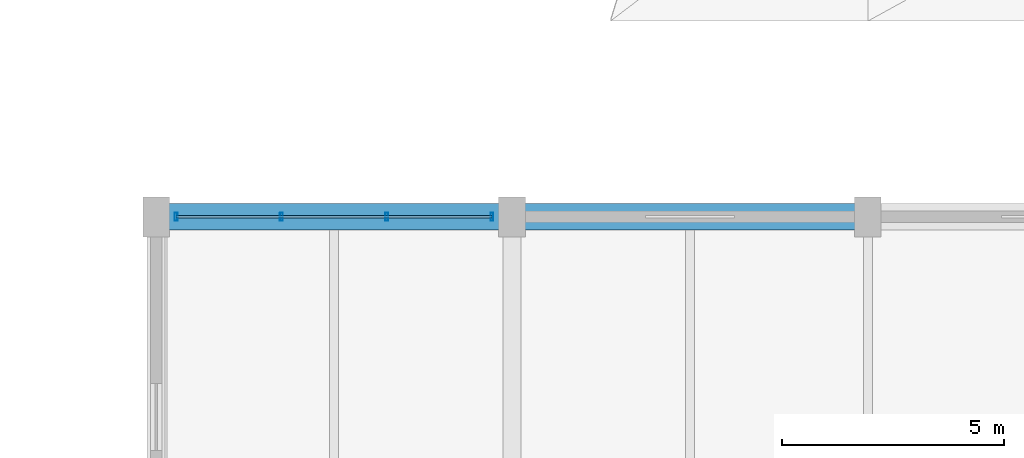
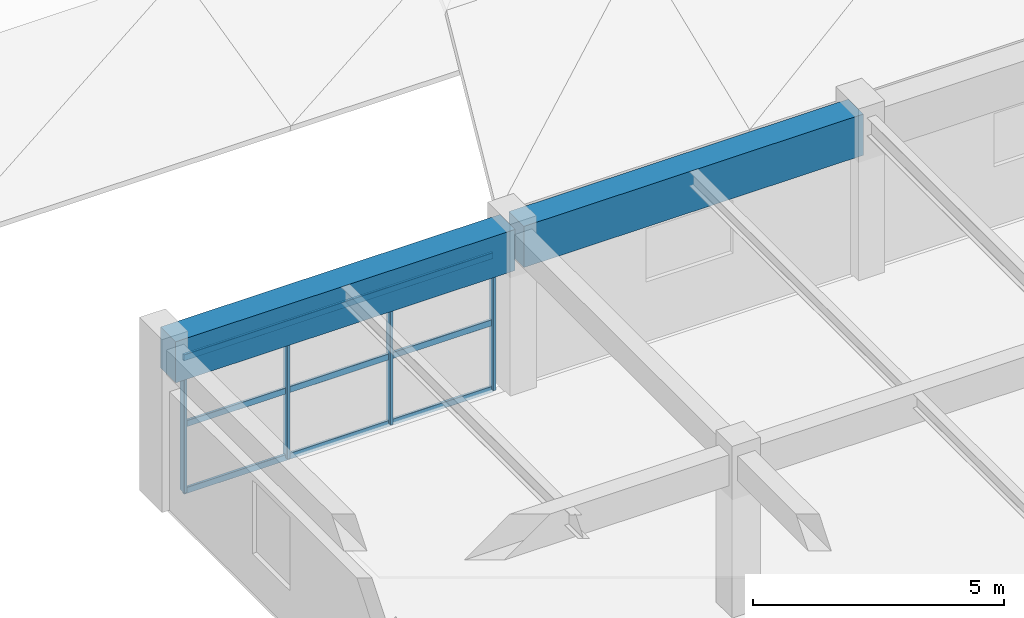
# One storey, part 9 of 126: 7 members, 2 beams, 1 element without a shape of its own.
"""IFC4 building model written with IfcOpenShell, lengths in metres."""

from ifc_helpers import new_model, si_unit, direction, frame, origin, origin_2d, place, context, subcontext, project, spatial, rectangle, hollow_rectangle, extrude, material, material_profile, profile_set, type_object, element, aggregate, save


model = new_model("IFC4")

# Units and contexts
model_context = context("Model", 3, precision=1e-05, world=origin(), true_north=direction((0.0, 1.0)))
body_context = subcontext(model_context, "Body", "Model", "MODEL_VIEW")
ifc_project = project(units=[si_unit("LENGTHUNIT", "METRE"), si_unit("AREAUNIT", "SQUARE_METRE"), si_unit("VOLUMEUNIT", "CUBIC_METRE"), si_unit("PLANEANGLEUNIT", "RADIAN"), si_unit("MASSUNIT", "GRAM", prefix="KILO")], contexts=[model_context])

# Site, building, storey
site_placement = place(None, origin())
site = spatial("IfcSite", under=ifc_project, at=site_placement, CompositionType="ELEMENT")
building_placement = place(site_placement, origin())
building = spatial("IfcBuilding", under=site, at=building_placement, Name="Varnabhumi Central Station", CompositionType="ELEMENT")
storey_placement = place(building_placement, frame((0.0, 0.0, 16.199951171875)))
storey = spatial("IfcBuildingStorey", under=building, at=storey_placement, Name="L03", CompositionType="ELEMENT", Elevation=16.199951171875)

# Beams
ifc_material_1 = material(Name="Concrete M50", Category="concrete")
ifc_material_profile_1 = material_profile(ifc_material_1, rectangle(XDim=0.60009765625, YDim=1.0, at=origin_2d()), Name="Concrete M50", Category="concrete")
ifc_profile_set_1 = profile_set([ifc_material_profile_1], Name="Concrete M50")
beam_type = type_object("IfcBeamType", Name="BM-RC-600x1000", PredefinedType="BEAM", material=ifc_profile_set_1)
for number, where, z_axis, x_axis, name in (
    (1, (32.10009765625, 36.0, 3.420166015625), (1.0, 0.0, 0.0), (0.0, 1.0, 0.0), "Beam L03-E:5-6"),
    (2, (40.10009765625, 36.0, 3.420166015625), (1.0, 0.0, 0.0), (0.0, 1.0, 0.0), "Beam L03-E:6-7"),
):
    element("IfcBeam", number, at=place(storey_placement, frame(where, z_axis=z_axis, x_axis=x_axis)), inside=storey, type_object=beam_type, Name=name, PredefinedType="BEAM", context=body_context, shape_type="SweptSolid", body=[
        extrude(rectangle(XDim=0.60009765625, YDim=1.0, at=origin_2d()), origin(), (0.0, 0.0, 1.0), 7.7998046875),
    ])

# Curtain wall, members
ifc_material_2 = material(Name="Anodised aluminium 6063-T6", Category="aluminium")
curtain_wall_type = type_object("IfcCurtainWallType", Name="CW-SPINE-SCREEN-L0", PredefinedType="NOTDEFINED", material=ifc_material_2)
curtain_wall_placement = place(storey_placement, origin())
curtain_wall = element("IfcCurtainWall", 3, at=curtain_wall_placement, inside=storey, type_object=curtain_wall_type, Name="Curtain Wall CW-SS300", PredefinedType="NOTDEFINED")
ifc_material_profile_2 = material_profile(ifc_material_2, hollow_rectangle(XDim=0.06494140625, YDim=0.179931640625, WallThickness=0.00390625, InnerFilletRadius=0.001953125, OuterFilletRadius=0.006103515625, at=origin_2d()), Name="Anodised aluminium 6063-T6", Category="aluminium")
ifc_profile_set_2 = profile_set([ifc_material_profile_2], Name="Anodised aluminium 6063-T6")
member_type_1 = type_object("IfcMemberType", Name="CW-MUL-180", PredefinedType="MULLION", material=ifc_profile_set_2)
member_1_placement = place(storey_placement, frame((32.449951171875, 36.0, 0.0), z_axis=(0.0, 0.0, 1.0), x_axis=(1.0, 0.0, 0.0)))
member_1 = element("IfcMember", 4, at=member_1_placement, type_object=member_type_1, Name="Curtain Wall Mullion CW-SS300-M1", PredefinedType="MULLION", context=body_context, shape_type="SweptSolid", body=[
    extrude(hollow_rectangle(XDim=0.06494140625, YDim=0.179931640625, WallThickness=0.00390625, InnerFilletRadius=0.001953125, OuterFilletRadius=0.006103515625, at=origin_2d()), origin(), (0.0, 0.0, 1.0), 3.239990234375),
])
member_2_placement = place(storey_placement, frame((34.816650390625, 36.0, 0.0), z_axis=(0.0, 0.0, 1.0), x_axis=(1.0, 0.0, 0.0)))
member_2 = element("IfcMember", 5, at=member_2_placement, type_object=member_type_1, Name="Curtain Wall Mullion CW-SS300-M2", PredefinedType="MULLION", context=body_context, shape_type="SweptSolid", body=[
    extrude(hollow_rectangle(XDim=0.06494140625, YDim=0.179931640625, WallThickness=0.00390625, InnerFilletRadius=0.001953125, OuterFilletRadius=0.006103515625, at=origin_2d()), origin(), (0.0, 0.0, 1.0), 3.239990234375),
])
member_3_placement = place(storey_placement, frame((37.183349609375, 36.0, 0.0), z_axis=(0.0, 0.0, 1.0), x_axis=(1.0, 0.0, 0.0)))
member_3 = element("IfcMember", 6, at=member_3_placement, type_object=member_type_1, Name="Curtain Wall Mullion CW-SS300-M3", PredefinedType="MULLION", context=body_context, shape_type="SweptSolid", body=[
    extrude(hollow_rectangle(XDim=0.06494140625, YDim=0.179931640625, WallThickness=0.00390625, InnerFilletRadius=0.001953125, OuterFilletRadius=0.006103515625, at=origin_2d()), origin(), (0.0, 0.0, 1.0), 3.239990234375),
])
member_4_placement = place(storey_placement, frame((39.550048828125, 36.0, 0.0), z_axis=(0.0, 0.0, 1.0), x_axis=(1.0, 0.0, 0.0)))
member_4 = element("IfcMember", 7, at=member_4_placement, type_object=member_type_1, Name="Curtain Wall Mullion CW-SS300-M4", PredefinedType="MULLION", context=body_context, shape_type="SweptSolid", body=[
    extrude(hollow_rectangle(XDim=0.06494140625, YDim=0.179931640625, WallThickness=0.00390625, InnerFilletRadius=0.001953125, OuterFilletRadius=0.006103515625, at=origin_2d()), origin(), (0.0, 0.0, 1.0), 3.239990234375),
])
ifc_material_profile_3 = material_profile(ifc_material_2, hollow_rectangle(XDim=0.06005859375, YDim=0.14990234375, WallThickness=0.00390625, InnerFilletRadius=0.001953125, OuterFilletRadius=0.006103515625, at=origin_2d()), Name="Anodised aluminium 6063-T6", Category="aluminium")
ifc_profile_set_3 = profile_set([ifc_material_profile_3], Name="Anodised aluminium 6063-T6")
member_type_2 = type_object("IfcMemberType", Name="CW-TR-150", PredefinedType="USERDEFINED", material=ifc_profile_set_3)
member_5_placement = place(storey_placement, frame((32.449951171875, 36.0, 0.0), z_axis=(1.0, 0.0, 0.0), x_axis=(0.0, 1.0, 0.0)))
member_5 = element("IfcMember", 8, at=member_5_placement, type_object=member_type_2, Name="Curtain Wall Transom CW-SS300-T1", ObjectType="TRANSOM", PredefinedType="USERDEFINED", context=body_context, shape_type="SweptSolid", body=[
    extrude(hollow_rectangle(XDim=0.06005859375, YDim=0.14990234375, WallThickness=0.00390625, InnerFilletRadius=0.001953125, OuterFilletRadius=0.006103515625, at=origin_2d()), origin(), (0.0, 0.0, 1.0), 7.10009765625),
])
member_6_placement = place(storey_placement, frame((32.449951171875, 36.0, 1.6201171875), z_axis=(1.0, 0.0, 0.0), x_axis=(0.0, 1.0, 0.0)))
member_6 = element("IfcMember", 9, at=member_6_placement, type_object=member_type_2, Name="Curtain Wall Transom CW-SS300-T2", ObjectType="TRANSOM", PredefinedType="USERDEFINED", context=body_context, shape_type="SweptSolid", body=[
    extrude(hollow_rectangle(XDim=0.06005859375, YDim=0.14990234375, WallThickness=0.00390625, InnerFilletRadius=0.001953125, OuterFilletRadius=0.006103515625, at=origin_2d()), origin(), (0.0, 0.0, 1.0), 7.10009765625),
])
member_7_placement = place(storey_placement, frame((32.449951171875, 36.0, 3.239990234375), z_axis=(1.0, 0.0, 0.0), x_axis=(0.0, 1.0, 0.0)))
member_7 = element("IfcMember", 10, at=member_7_placement, type_object=member_type_2, Name="Curtain Wall Transom CW-SS300-T3", ObjectType="TRANSOM", PredefinedType="USERDEFINED", context=body_context, shape_type="SweptSolid", body=[
    extrude(hollow_rectangle(XDim=0.06005859375, YDim=0.14990234375, WallThickness=0.00390625, InnerFilletRadius=0.001953125, OuterFilletRadius=0.006103515625, at=origin_2d()), origin(), (0.0, 0.0, 1.0), 7.10009765625),
])
aggregate(curtain_wall, [member_1, member_2, member_3, member_4, member_5, member_6, member_7])

save(model, "model.ifc")
